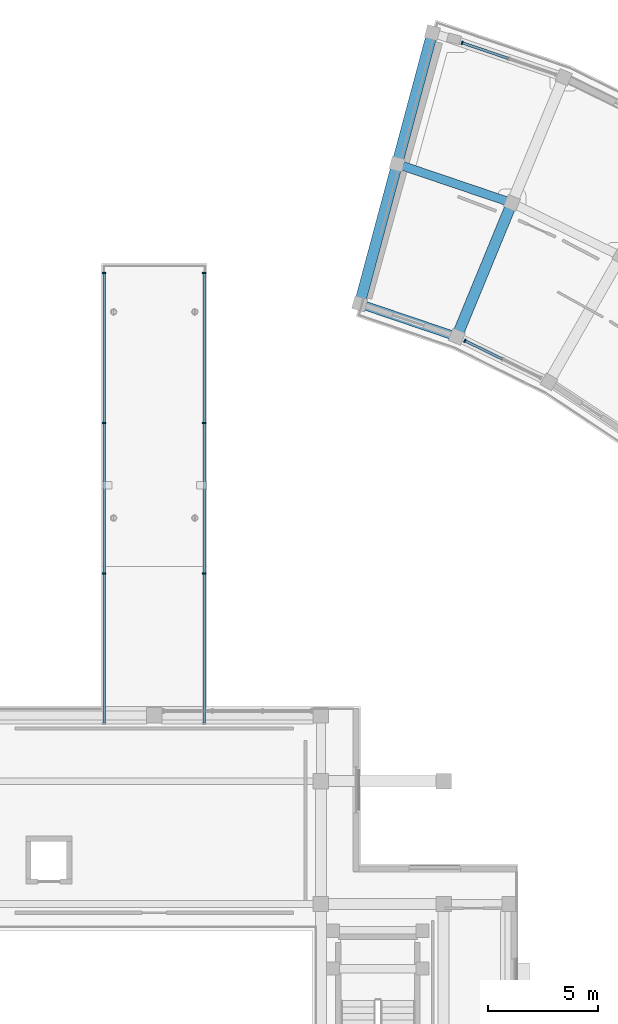
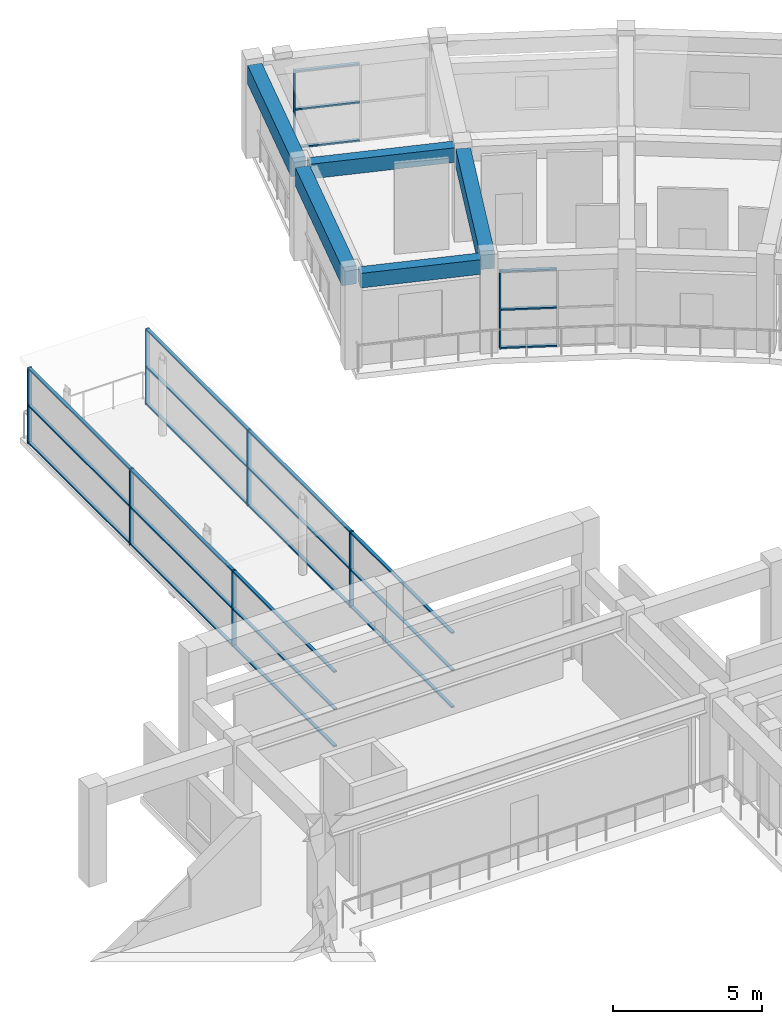
# One storey, part 12 of 29: 32 members, 5 beams, 4 elements without a shape of their own.
"""IFC4 building model written with IfcOpenShell, lengths in metres."""

from ifc_helpers import new_model, si_unit, direction, frame, origin, origin_2d, place, context, subcontext, project, spatial, rectangle, extrude, material, material_profile, profile_set, type_object, element, aggregate, save


model = new_model("IFC4")

# Units and contexts
model_context = context("Model", 3, precision=1e-05, world=origin(), true_north=direction((0.0, 1.0)))
body_context = subcontext(model_context, "Body", "Model", "MODEL_VIEW")
ifc_project = project(units=[si_unit("LENGTHUNIT", "METRE"), si_unit("AREAUNIT", "SQUARE_METRE"), si_unit("VOLUMEUNIT", "CUBIC_METRE"), si_unit("PLANEANGLEUNIT", "RADIAN"), si_unit("MASSUNIT", "GRAM", prefix="KILO")], contexts=[model_context])

# Site, building, storey
site_placement = place(None, origin())
site = spatial("IfcSite", under=ifc_project, at=site_placement, CompositionType="ELEMENT")
building_placement = place(site_placement, origin())
building = spatial("IfcBuilding", under=site, at=building_placement, Name="Saryqyr Civic Hall", CompositionType="ELEMENT")
storey_placement = place(building_placement, frame((0.0, 0.0, 25.35009765625)))
storey = spatial("IfcBuildingStorey", under=building, at=storey_placement, Name="L06", CompositionType="ELEMENT", Elevation=25.35009765625)

# Curtain wall, member
ifc_material_1 = material(Name="Anodised aluminium and triple low-E glass", Category="aluminium")
curtain_wall_type_1 = type_object("IfcCurtainWallType", Name="ENV-CW-STD-25", PredefinedType="NOTDEFINED", material=ifc_material_1)
curtain_wall_1_placement = place(storey_placement, origin())
curtain_wall_1 = element("IfcCurtainWall", 1, at=curtain_wall_1_placement, inside=storey, type_object=curtain_wall_type_1, Name="Curtain wall V6-CWI-L06-08", PredefinedType="NOTDEFINED")
ifc_material_2 = material(Name="Anodised aluminium", Category="aluminium")
ifc_material_profile_1 = material_profile(ifc_material_2, rectangle(XDim=0.06005859375, YDim=0.159912109375, at=origin_2d()), Name="ALU MULLION 60x160")
ifc_profile_set_1 = profile_set([ifc_material_profile_1], Name="Anodised aluminium")
member_type_1 = type_object("IfcMemberType", Name="ENV-CW-MUL-180", PredefinedType="MULLION", material=ifc_profile_set_1)
member_1_placement = place(storey_placement, frame((71.16455078125, 117.28759765625, 0.0), z_axis=(0.0, 0.0, 1.0), x_axis=(-0.897961859945, 0.440073287175, 0.0)))
member_1 = element("IfcMember", 2, at=member_1_placement, type_object=member_type_1, Name="CW-25 mullion 3", PredefinedType="MULLION", context=body_context, shape_type="SweptSolid", body=[
    extrude(rectangle(XDim=0.06005859375, YDim=0.159912109375, at=origin_2d()), origin(), (0.0, 0.0, 1.0), 3.184814453125),
])

curtain_wall_type_2 = type_object("IfcCurtainWallType", Name="ENV-CW-STD-30", PredefinedType="NOTDEFINED", material=ifc_material_1)
curtain_wall_2_placement = place(storey_placement, origin())
curtain_wall_2 = element("IfcCurtainWall", 3, at=curtain_wall_2_placement, inside=storey, type_object=curtain_wall_type_2, Name="Curtain wall V6-CWO-L06-09", PredefinedType="NOTDEFINED")
member_2_placement = place(storey_placement, frame((71.0390625, 130.87109375, 0.0), z_axis=(0.0, 0.0, 1.0), x_axis=(0.947190494511, -0.320671431699, 0.0)))
member_2 = element("IfcMember", 4, at=member_2_placement, type_object=member_type_1, Name="CW-30 mullion 1", PredefinedType="MULLION", context=body_context, shape_type="SweptSolid", body=[
    extrude(rectangle(XDim=0.06005859375, YDim=0.159912109375, at=origin_2d()), origin(), (0.0, 0.0, 1.0), 3.184814453125),
])

# Curtain wall, members
curtain_wall_type_3 = type_object("IfcCurtainWallType", Name="ENV-CW-STD-88", PredefinedType="NOTDEFINED", material=ifc_material_1)
curtain_wall_3_placement = place(storey_placement, origin())
curtain_wall_3 = element("IfcCurtainWall", 5, at=curtain_wall_3_placement, inside=storey, type_object=curtain_wall_type_3, Name="Curtain wall BR-CN-CW1-L06", PredefinedType="NOTDEFINED")
member_3_placement = place(storey_placement, frame((54.719970703125, 106.666748046875, 0.0), z_axis=(0.0, 0.0, 1.0), x_axis=(0.0, 1.0, 0.0)))
member_3 = element("IfcMember", 6, at=member_3_placement, type_object=member_type_1, Name="CW-88 mullion 2", PredefinedType="MULLION", context=body_context, shape_type="SweptSolid", body=[
    extrude(rectangle(XDim=0.06005859375, YDim=0.159912109375, at=origin_2d()), origin(), (0.0, 0.0, 1.0), 3.099853515625),
])
member_4_placement = place(storey_placement, frame((54.719970703125, 113.533447265625, 0.0), z_axis=(0.0, 0.0, 1.0), x_axis=(0.0, 1.0, 0.0)))
member_4 = element("IfcMember", 7, at=member_4_placement, type_object=member_type_1, Name="CW-88 mullion 3", PredefinedType="MULLION", context=body_context, shape_type="SweptSolid", body=[
    extrude(rectangle(XDim=0.06005859375, YDim=0.159912109375, at=origin_2d()), origin(), (0.0, 0.0, 1.0), 3.099853515625),
])
member_5_placement = place(storey_placement, frame((54.719970703125, 120.3701171875, 0.0), z_axis=(0.0, 0.0, 1.0), x_axis=(0.0, 1.0, 0.0)))
member_5 = element("IfcMember", 8, at=member_5_placement, type_object=member_type_1, Name="CW-88 mullion 4", PredefinedType="MULLION", context=body_context, shape_type="SweptSolid", body=[
    extrude(rectangle(XDim=0.06005859375, YDim=0.159912109375, at=origin_2d()), origin(), (0.0, 0.0, 1.0), 3.099853515625),
])

curtain_wall_4_placement = place(storey_placement, origin())
curtain_wall_4 = element("IfcCurtainWall", 9, at=curtain_wall_4_placement, inside=storey, type_object=curtain_wall_type_3, Name="Curtain wall BR-CN-CW2-L06", PredefinedType="NOTDEFINED")
member_6_placement = place(storey_placement, frame((59.280029296875, 120.3701171875, 0.0), z_axis=(0.0, 0.0, 1.0), x_axis=(0.0, -1.0, 0.0)))
member_6 = element("IfcMember", 10, at=member_6_placement, type_object=member_type_1, Name="CW-88 mullion 1", PredefinedType="MULLION", context=body_context, shape_type="SweptSolid", body=[
    extrude(rectangle(XDim=0.06005859375, YDim=0.159912109375, at=origin_2d()), origin(), (0.0, 0.0, 1.0), 3.099853515625),
])
member_7_placement = place(storey_placement, frame((59.280029296875, 113.533447265625, 0.0), z_axis=(0.0, 0.0, 1.0), x_axis=(0.0, -1.0, 0.0)))
member_7 = element("IfcMember", 11, at=member_7_placement, type_object=member_type_1, Name="CW-88 mullion 2", PredefinedType="MULLION", context=body_context, shape_type="SweptSolid", body=[
    extrude(rectangle(XDim=0.06005859375, YDim=0.159912109375, at=origin_2d()), origin(), (0.0, 0.0, 1.0), 3.099853515625),
])
member_8_placement = place(storey_placement, frame((59.280029296875, 106.666748046875, 0.0), z_axis=(0.0, 0.0, 1.0), x_axis=(0.0, -1.0, 0.0)))
member_8 = element("IfcMember", 12, at=member_8_placement, type_object=member_type_1, Name="CW-88 mullion 3", PredefinedType="MULLION", context=body_context, shape_type="SweptSolid", body=[
    extrude(rectangle(XDim=0.06005859375, YDim=0.159912109375, at=origin_2d()), origin(), (0.0, 0.0, 1.0), 3.099853515625),
])

# Member
ifc_material_profile_2 = material_profile(ifc_material_2, rectangle(XDim=0.1201171875, YDim=0.06005859375, at=origin_2d()), Name="ALU TRANSOM 120x60")
ifc_profile_set_2 = profile_set([ifc_material_profile_2], Name="Anodised aluminium")
member_type_2 = type_object("IfcMemberType", Name="ENV-CW-TRN-150", PredefinedType="USERDEFINED", material=ifc_profile_set_2)
member_9_placement = place(storey_placement, frame((72.869873046875, 116.451904296875, 0.02978515625), z_axis=(-0.897952102471, 0.44009319657, 0.0), x_axis=(-0.44009319657, -0.897952102471, 0.0)))
member_9 = element("IfcMember", 13, at=member_9_placement, type_object=member_type_2, Name="CW-25 transom 2.1", ObjectType="TRANSOM", PredefinedType="USERDEFINED", context=body_context, shape_type="SweptSolid", body=[
    extrude(rectangle(XDim=0.1201171875, YDim=0.06005859375, at=origin_2d()), origin(), (0.0, 0.0, 1.0), 1.868896484375),
])

member_10_placement = place(storey_placement, frame((72.869873046875, 116.451904296875, 1.593017578125), z_axis=(-0.897952102471, 0.44009319657, 0.0), x_axis=(-0.44009319657, -0.897952102471, 0.0)))
member_10 = element("IfcMember", 14, at=member_10_placement, type_object=member_type_2, Name="CW-25 transom 2.2", ObjectType="TRANSOM", PredefinedType="USERDEFINED", context=body_context, shape_type="SweptSolid", body=[
    extrude(rectangle(XDim=0.1201171875, YDim=0.06005859375, at=origin_2d()), origin(), (0.0, 0.0, 1.0), 1.868896484375),
])

member_11_placement = place(storey_placement, frame((72.869873046875, 116.451904296875, 3.15478515625), z_axis=(-0.897952102471, 0.44009319657, 0.0), x_axis=(-0.44009319657, -0.897952102471, 0.0)))
member_11 = element("IfcMember", 15, at=member_11_placement, type_object=member_type_2, Name="CW-25 transom 2.3", ObjectType="TRANSOM", PredefinedType="USERDEFINED", context=body_context, shape_type="SweptSolid", body=[
    extrude(rectangle(XDim=0.1201171875, YDim=0.06005859375, at=origin_2d()), origin(), (0.0, 0.0, 1.0), 1.868896484375),
])

aggregate(curtain_wall_1, [member_1, member_9, member_10, member_11])

member_12_placement = place(storey_placement, frame((71.0673828125, 130.861572265625, 0.02978515625), z_axis=(0.947158756622, -0.320765162936, 0.0), x_axis=(0.320765162936, 0.947158756622, 0.0)))
member_12 = element("IfcMember", 16, at=member_12_placement, type_object=member_type_2, Name="CW-30 transom 1.1", ObjectType="TRANSOM", PredefinedType="USERDEFINED", context=body_context, shape_type="SweptSolid", body=[
    extrude(rectangle(XDim=0.1201171875, YDim=0.06005859375, at=origin_2d()), origin(), (0.0, 0.0, 1.0), 2.193603515625),
])

member_13_placement = place(storey_placement, frame((71.0673828125, 130.861572265625, 1.593017578125), z_axis=(0.947158756622, -0.320765162936, 0.0), x_axis=(0.320765162936, 0.947158756622, 0.0)))
member_13 = element("IfcMember", 17, at=member_13_placement, type_object=member_type_2, Name="CW-30 transom 1.2", ObjectType="TRANSOM", PredefinedType="USERDEFINED", context=body_context, shape_type="SweptSolid", body=[
    extrude(rectangle(XDim=0.1201171875, YDim=0.06005859375, at=origin_2d()), origin(), (0.0, 0.0, 1.0), 2.193603515625),
])

member_14_placement = place(storey_placement, frame((71.0673828125, 130.861572265625, 3.15478515625), z_axis=(0.947158756622, -0.320765162936, 0.0), x_axis=(0.320765162936, 0.947158756622, 0.0)))
member_14 = element("IfcMember", 18, at=member_14_placement, type_object=member_type_2, Name="CW-30 transom 1.3", ObjectType="TRANSOM", PredefinedType="USERDEFINED", context=body_context, shape_type="SweptSolid", body=[
    extrude(rectangle(XDim=0.1201171875, YDim=0.06005859375, at=origin_2d()), origin(), (0.0, 0.0, 1.0), 2.193603515625),
])

aggregate(curtain_wall_2, [member_2, member_12, member_13, member_14])

member_15_placement = place(storey_placement, frame((54.719970703125, 99.860107421875, 0.02978515625), z_axis=(0.0, 1.0, 0.0), x_axis=(-1.0, 0.0, 0.0)))
member_15 = element("IfcMember", 19, at=member_15_placement, type_object=member_type_2, Name="CW-88 transom 1.1", ObjectType="TRANSOM", PredefinedType="USERDEFINED", context=body_context, shape_type="SweptSolid", body=[
    extrude(rectangle(XDim=0.1201171875, YDim=0.06005859375, at=origin_2d()), origin(), (0.0, 0.0, 1.0), 6.776611328125),
])

member_16_placement = place(storey_placement, frame((54.719970703125, 99.860107421875, 1.5498046875), z_axis=(0.0, 1.0, 0.0), x_axis=(-1.0, 0.0, 0.0)))
member_16 = element("IfcMember", 20, at=member_16_placement, type_object=member_type_2, Name="CW-88 transom 1.2", ObjectType="TRANSOM", PredefinedType="USERDEFINED", context=body_context, shape_type="SweptSolid", body=[
    extrude(rectangle(XDim=0.1201171875, YDim=0.06005859375, at=origin_2d()), origin(), (0.0, 0.0, 1.0), 6.776611328125),
])

member_17_placement = place(storey_placement, frame((54.719970703125, 99.860107421875, 3.06982421875), z_axis=(0.0, 1.0, 0.0), x_axis=(-1.0, 0.0, 0.0)))
member_17 = element("IfcMember", 21, at=member_17_placement, type_object=member_type_2, Name="CW-88 transom 1.3", ObjectType="TRANSOM", PredefinedType="USERDEFINED", context=body_context, shape_type="SweptSolid", body=[
    extrude(rectangle(XDim=0.1201171875, YDim=0.06005859375, at=origin_2d()), origin(), (0.0, 0.0, 1.0), 6.776611328125),
])

member_18_placement = place(storey_placement, frame((54.719970703125, 106.69677734375, 0.02978515625), z_axis=(0.0, 1.0, 0.0), x_axis=(-1.0, 0.0, 0.0)))
member_18 = element("IfcMember", 22, at=member_18_placement, type_object=member_type_2, Name="CW-88 transom 2.1", ObjectType="TRANSOM", PredefinedType="USERDEFINED", context=body_context, shape_type="SweptSolid", body=[
    extrude(rectangle(XDim=0.1201171875, YDim=0.06005859375, at=origin_2d()), origin(), (0.0, 0.0, 1.0), 6.806640625),
])

member_19_placement = place(storey_placement, frame((54.719970703125, 106.69677734375, 1.5498046875), z_axis=(0.0, 1.0, 0.0), x_axis=(-1.0, 0.0, 0.0)))
member_19 = element("IfcMember", 23, at=member_19_placement, type_object=member_type_2, Name="CW-88 transom 2.2", ObjectType="TRANSOM", PredefinedType="USERDEFINED", context=body_context, shape_type="SweptSolid", body=[
    extrude(rectangle(XDim=0.1201171875, YDim=0.06005859375, at=origin_2d()), origin(), (0.0, 0.0, 1.0), 6.806640625),
])

member_20_placement = place(storey_placement, frame((54.719970703125, 106.69677734375, 3.06982421875), z_axis=(0.0, 1.0, 0.0), x_axis=(-1.0, 0.0, 0.0)))
member_20 = element("IfcMember", 24, at=member_20_placement, type_object=member_type_2, Name="CW-88 transom 2.3", ObjectType="TRANSOM", PredefinedType="USERDEFINED", context=body_context, shape_type="SweptSolid", body=[
    extrude(rectangle(XDim=0.1201171875, YDim=0.06005859375, at=origin_2d()), origin(), (0.0, 0.0, 1.0), 6.806640625),
])

member_21_placement = place(storey_placement, frame((54.719970703125, 113.563232421875, 0.02978515625), z_axis=(0.0, 1.0, 0.0), x_axis=(-1.0, 0.0, 0.0)))
member_21 = element("IfcMember", 25, at=member_21_placement, type_object=member_type_2, Name="CW-88 transom 3.1", ObjectType="TRANSOM", PredefinedType="USERDEFINED", context=body_context, shape_type="SweptSolid", body=[
    extrude(rectangle(XDim=0.1201171875, YDim=0.06005859375, at=origin_2d()), origin(), (0.0, 0.0, 1.0), 6.77685546875),
])

member_22_placement = place(storey_placement, frame((54.719970703125, 113.563232421875, 1.5498046875), z_axis=(0.0, 1.0, 0.0), x_axis=(-1.0, 0.0, 0.0)))
member_22 = element("IfcMember", 26, at=member_22_placement, type_object=member_type_2, Name="CW-88 transom 3.2", ObjectType="TRANSOM", PredefinedType="USERDEFINED", context=body_context, shape_type="SweptSolid", body=[
    extrude(rectangle(XDim=0.1201171875, YDim=0.06005859375, at=origin_2d()), origin(), (0.0, 0.0, 1.0), 6.77685546875),
])

member_23_placement = place(storey_placement, frame((54.719970703125, 113.563232421875, 3.06982421875), z_axis=(0.0, 1.0, 0.0), x_axis=(-1.0, 0.0, 0.0)))
member_23 = element("IfcMember", 27, at=member_23_placement, type_object=member_type_2, Name="CW-88 transom 3.3", ObjectType="TRANSOM", PredefinedType="USERDEFINED", context=body_context, shape_type="SweptSolid", body=[
    extrude(rectangle(XDim=0.1201171875, YDim=0.06005859375, at=origin_2d()), origin(), (0.0, 0.0, 1.0), 6.77685546875),
])

aggregate(curtain_wall_3, [member_3, member_4, member_5, member_15, member_16, member_17, member_18, member_19, member_20, member_21, member_22, member_23])

member_24_placement = place(storey_placement, frame((59.280029296875, 120.340087890625, 0.02978515625), z_axis=(0.0, -1.0, 0.0), x_axis=(1.0, 0.0, 0.0)))
member_24 = element("IfcMember", 28, at=member_24_placement, type_object=member_type_2, Name="CW-88 transom 1.1", ObjectType="TRANSOM", PredefinedType="USERDEFINED", context=body_context, shape_type="SweptSolid", body=[
    extrude(rectangle(XDim=0.1201171875, YDim=0.06005859375, at=origin_2d()), origin(), (0.0, 0.0, 1.0), 6.77685546875),
])

member_25_placement = place(storey_placement, frame((59.280029296875, 120.340087890625, 1.5498046875), z_axis=(0.0, -1.0, 0.0), x_axis=(1.0, 0.0, 0.0)))
member_25 = element("IfcMember", 29, at=member_25_placement, type_object=member_type_2, Name="CW-88 transom 1.2", ObjectType="TRANSOM", PredefinedType="USERDEFINED", context=body_context, shape_type="SweptSolid", body=[
    extrude(rectangle(XDim=0.1201171875, YDim=0.06005859375, at=origin_2d()), origin(), (0.0, 0.0, 1.0), 6.77685546875),
])

member_26_placement = place(storey_placement, frame((59.280029296875, 120.340087890625, 3.06982421875), z_axis=(0.0, -1.0, 0.0), x_axis=(1.0, 0.0, 0.0)))
member_26 = element("IfcMember", 30, at=member_26_placement, type_object=member_type_2, Name="CW-88 transom 1.3", ObjectType="TRANSOM", PredefinedType="USERDEFINED", context=body_context, shape_type="SweptSolid", body=[
    extrude(rectangle(XDim=0.1201171875, YDim=0.06005859375, at=origin_2d()), origin(), (0.0, 0.0, 1.0), 6.77685546875),
])

member_27_placement = place(storey_placement, frame((59.280029296875, 113.50341796875, 0.02978515625), z_axis=(0.0, -1.0, 0.0), x_axis=(1.0, 0.0, 0.0)))
member_27 = element("IfcMember", 31, at=member_27_placement, type_object=member_type_2, Name="CW-88 transom 2.1", ObjectType="TRANSOM", PredefinedType="USERDEFINED", context=body_context, shape_type="SweptSolid", body=[
    extrude(rectangle(XDim=0.1201171875, YDim=0.06005859375, at=origin_2d()), origin(), (0.0, 0.0, 1.0), 6.806640625),
])

member_28_placement = place(storey_placement, frame((59.280029296875, 113.50341796875, 1.5498046875), z_axis=(0.0, -1.0, 0.0), x_axis=(1.0, 0.0, 0.0)))
member_28 = element("IfcMember", 32, at=member_28_placement, type_object=member_type_2, Name="CW-88 transom 2.2", ObjectType="TRANSOM", PredefinedType="USERDEFINED", context=body_context, shape_type="SweptSolid", body=[
    extrude(rectangle(XDim=0.1201171875, YDim=0.06005859375, at=origin_2d()), origin(), (0.0, 0.0, 1.0), 6.806640625),
])

member_29_placement = place(storey_placement, frame((59.280029296875, 113.50341796875, 3.06982421875), z_axis=(0.0, -1.0, 0.0), x_axis=(1.0, 0.0, 0.0)))
member_29 = element("IfcMember", 33, at=member_29_placement, type_object=member_type_2, Name="CW-88 transom 2.3", ObjectType="TRANSOM", PredefinedType="USERDEFINED", context=body_context, shape_type="SweptSolid", body=[
    extrude(rectangle(XDim=0.1201171875, YDim=0.06005859375, at=origin_2d()), origin(), (0.0, 0.0, 1.0), 6.806640625),
])

member_30_placement = place(storey_placement, frame((59.280029296875, 106.63671875, 0.02978515625), z_axis=(0.0, -1.0, 0.0), x_axis=(1.0, 0.0, 0.0)))
member_30 = element("IfcMember", 34, at=member_30_placement, type_object=member_type_2, Name="CW-88 transom 3.1", ObjectType="TRANSOM", PredefinedType="USERDEFINED", context=body_context, shape_type="SweptSolid", body=[
    extrude(rectangle(XDim=0.1201171875, YDim=0.06005859375, at=origin_2d()), origin(), (0.0, 0.0, 1.0), 6.776611328125),
])

member_31_placement = place(storey_placement, frame((59.280029296875, 106.63671875, 1.5498046875), z_axis=(0.0, -1.0, 0.0), x_axis=(1.0, 0.0, 0.0)))
member_31 = element("IfcMember", 35, at=member_31_placement, type_object=member_type_2, Name="CW-88 transom 3.2", ObjectType="TRANSOM", PredefinedType="USERDEFINED", context=body_context, shape_type="SweptSolid", body=[
    extrude(rectangle(XDim=0.1201171875, YDim=0.06005859375, at=origin_2d()), origin(), (0.0, 0.0, 1.0), 6.776611328125),
])

member_32_placement = place(storey_placement, frame((59.280029296875, 106.63671875, 3.06982421875), z_axis=(0.0, -1.0, 0.0), x_axis=(1.0, 0.0, 0.0)))
member_32 = element("IfcMember", 36, at=member_32_placement, type_object=member_type_2, Name="CW-88 transom 3.3", ObjectType="TRANSOM", PredefinedType="USERDEFINED", context=body_context, shape_type="SweptSolid", body=[
    extrude(rectangle(XDim=0.1201171875, YDim=0.06005859375, at=origin_2d()), origin(), (0.0, 0.0, 1.0), 6.776611328125),
])

aggregate(curtain_wall_4, [member_6, member_7, member_8, member_24, member_25, member_26, member_27, member_28, member_29, member_30, member_31, member_32])

# Beams
ifc_material_3 = material(Name="Concrete C35/45", Category="concrete")
ifc_material_profile_3 = material_profile(ifc_material_3, rectangle(XDim=0.39990234375, YDim=0.60009765625, at=origin_2d()), Name="RC 400x600")
ifc_profile_set_3 = profile_set([ifc_material_profile_3], Name="Concrete C35/45")
beam_type_1 = type_object("IfcBeamType", Name="STR-BM-RC400x600", PredefinedType="BEAM", material=ifc_profile_set_3)
beam_1_placement = place(storey_placement, frame((73.052734375, 123.6572265625, 3.510009765625), z_axis=(-0.947191677807, 0.32066793649, 0.0), x_axis=(-0.32066793649, -0.947191677807, 0.0)))
element("IfcBeam", 37, at=beam_1_placement, inside=storey, type_object=beam_type_1, Name="Beam V6-CBM-MID09-L06", PredefinedType="BEAM", context=body_context, shape_type="SweptSolid", body=[
    extrude(rectangle(XDim=0.39990234375, YDim=0.60009765625, at=origin_2d()), origin(), (0.0, 0.0, 1.0), 4.977783203125),
])
ifc_material_profile_4 = material_profile(ifc_material_3, rectangle(XDim=0.39990234375, YDim=0.60009765625, at=origin_2d()), Name="RC 400x600")
ifc_profile_set_4 = profile_set([ifc_material_profile_4], Name="Concrete C35/45")
beam_type_2 = type_object("IfcBeamType", Name="STR-BM-RC400x600-EXT", PredefinedType="BEAM", material=ifc_profile_set_4)
beam_2_placement = place(storey_placement, frame((70.537109375, 117.5556640625, 3.510009765625), z_axis=(-0.947199378893, 0.320645188057, 0.0), x_axis=(-0.320645188057, -0.947199378893, 0.0)))
element("IfcBeam", 38, at=beam_2_placement, inside=storey, type_object=beam_type_2, Name="Beam V6-CBM-IN09-L06", PredefinedType="BEAM", context=body_context, shape_type="SweptSolid", body=[
    extrude(rectangle(XDim=0.39990234375, YDim=0.60009765625, at=origin_2d()), origin(), (0.0, 0.0, 1.0), 4.125244140625),
])
ifc_material_4 = material(Name="Concrete C40/50", Category="concrete")
ifc_material_profile_5 = material_profile(ifc_material_4, rectangle(XDim=0.5, YDim=0.75, at=origin_2d()), Name="RC 500x750")
ifc_profile_set_5 = profile_set([ifc_material_profile_5], Name="Concrete C40/50")
beam_type_3 = type_object("IfcBeamType", Name="STR-BM-RC500x750", PredefinedType="BEAM", material=ifc_profile_set_5)
beam_3_placement = place(storey_placement, frame((70.902587890625, 117.7216796875, 3.434814453125), z_axis=(0.381145552092, 0.924515044832, 0.0), x_axis=(-0.924515044832, 0.381145552092, 0.0)))
element("IfcBeam", 39, at=beam_3_placement, inside=storey, type_object=beam_type_3, Name="Beam V6-RBM-A09-L06", PredefinedType="BEAM", context=body_context, shape_type="SweptSolid", body=[
    extrude(rectangle(XDim=0.5, YDim=0.75, at=origin_2d()), origin(), (0.0, 0.0, 1.0), 6.050048828125),
])
beam_4_placement = place(storey_placement, frame((66.4404296875, 119.232177734375, 3.434814453125), z_axis=(0.258832905588, 0.965922112277, 0.0), x_axis=(-0.965922112277, 0.258832905588, 0.0)))
element("IfcBeam", 40, at=beam_4_placement, inside=storey, type_object=beam_type_3, Name="Beam V6-RBM-A10-L06", PredefinedType="BEAM", context=body_context, shape_type="SweptSolid", body=[
    extrude(rectangle(XDim=0.5, YDim=0.75, at=origin_2d()), origin(), (0.0, 0.0, 1.0), 6.0498046875),
])
beam_5_placement = place(storey_placement, frame((68.148681640625, 125.607177734375, 3.434814453125), z_axis=(0.25878936227, 0.965933779291, 0.0), x_axis=(-0.965933779291, 0.25878936227, 0.0)))
element("IfcBeam", 41, at=beam_5_placement, inside=storey, type_object=beam_type_3, Name="Beam V6-RBM-B10-L06", PredefinedType="BEAM", context=body_context, shape_type="SweptSolid", body=[
    extrude(rectangle(XDim=0.5, YDim=0.75, at=origin_2d()), origin(), (0.0, 0.0, 1.0), 5.64990234375),
])

save(model, "model.ifc")
